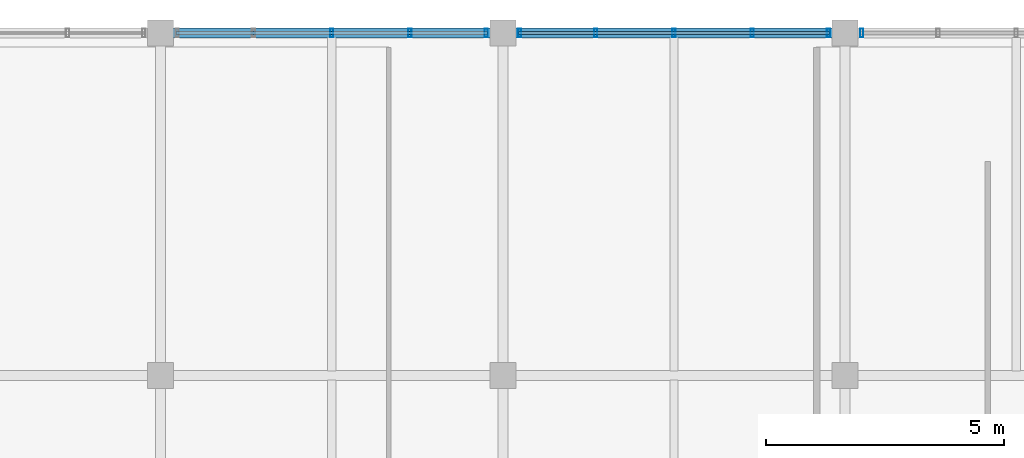
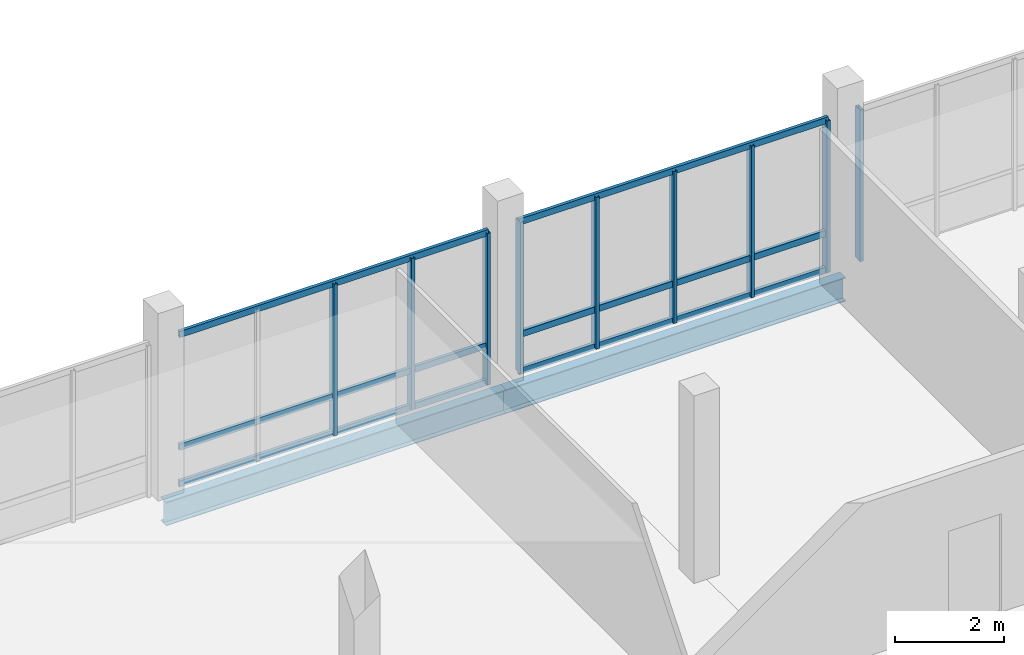
# One storey, part 13 of 28: 15 members, 2 beams, 3 elements without a shape of their own.
"""IFC4 building model written with IfcOpenShell, lengths in metres."""

import ifcopenshell
import ifcopenshell.guid

model = None  # the IFC model being written
_history = None  # IfcOwnerHistory: only IFC2X3 demands one
_inside = {}  # id of a spatial element -> (the spatial element, [elements in it])
_under = {}  # id of a project, library or spatial element -> (it, [spatial elements below it])
_declared = {}  # id of a project -> (the project, [libraries it declares])
_typed = {}  # id of a type object -> (the type object, [elements of that type])
_made_of = {}  # id of a material, layer set ... -> (it, [elements and type objects made of it])


def new_model(schema):
    """Start an empty IFC model of exactly this schema.

    Asked for "IFC4X3", IfcOpenShell would pick the latest addendum, in which some entities
    have other attributes; the version numbers below select the first issue.
    IFC2X3 requires an IfcOwnerHistory on every rooted entity: one is made here for all.
    """
    global model, _history
    if schema == "IFC4X3":
        model = ifcopenshell.file(schema_version=(4, 3, 0, 0))
    else:
        model = ifcopenshell.file(schema=schema)
    _inside.clear()
    _under.clear()
    _declared.clear()
    _typed.clear()
    _made_of.clear()
    _history = None
    if model.schema == "IFC2X3":
        org = make("IfcOrganization", Name="unknown")
        user = make(
            "IfcPersonAndOrganization",
            ThePerson=make("IfcPerson", FamilyName="unknown"),
            TheOrganization=org,
        )
        app = make(
            "IfcApplication",
            ApplicationDeveloper=org,
            Version="unknown",
            ApplicationFullName="unknown",
            ApplicationIdentifier="unknown",
        )
        _history = make(
            "IfcOwnerHistory",
            OwningUser=user,
            OwningApplication=app,
            ChangeAction="ADDED",
            CreationDate=0,
        )
    return model


def make(cls, **values):
    """One entity of the class cls with the attributes given. An attribute that is None is left unset."""
    return model.create_entity(
        cls, **{name: value for name, value in values.items() if value is not None}
    )


def rooted(cls, **values):
    """An entity with a GlobalId (a new one), such as an element, a storey or a relation."""
    return make(cls, GlobalId=ifcopenshell.guid.new(), OwnerHistory=_history, **values)


def si_unit(unit_type, name, prefix=None):
    """IfcSIUnit, for example si_unit("LENGTHUNIT", "METRE", prefix="MILLI")."""
    return make("IfcSIUnit", UnitType=unit_type, Prefix=prefix, Name=name)


def assignment(units):
    """IfcUnitAssignment: the units of a project."""
    return None if units is None else make("IfcUnitAssignment", Units=units)


def point(xyz):
    """IfcCartesianPoint."""
    return None if xyz is None else make("IfcCartesianPoint", Coordinates=xyz)


def direction(xyz):
    """IfcDirection."""
    return None if xyz is None else make("IfcDirection", DirectionRatios=xyz)


def frame(location, z_axis=None, x_axis=None):
    """IfcAxis2Placement3D, a coordinate frame: its origin and axes. An axis left out is left unset."""
    return make(
        "IfcAxis2Placement3D",
        Location=point(location),
        Axis=direction(z_axis),
        RefDirection=direction(x_axis),
    )


def frame_2d(location, x_axis=None):
    """IfcAxis2Placement2D, a coordinate frame in the plane: its origin and x axis."""
    return make(
        "IfcAxis2Placement2D", Location=point(location), RefDirection=direction(x_axis)
    )


def origin():
    """The frame at (0, 0, 0) with its axes left unset."""
    return frame((0.0, 0.0, 0.0))


def origin_2d():
    """The frame at (0, 0) in the plane with its x axis left unset."""
    return frame_2d((0.0, 0.0))


def place(relative_to, where):
    """IfcLocalPlacement: puts the frame where relative to a parent placement (None: the world)."""
    return make(
        "IfcLocalPlacement", PlacementRelTo=relative_to, RelativePlacement=where
    )


def context(
    kind, dimensions, precision=None, world=None, true_north=None, identifier=None
):
    """IfcGeometricRepresentationContext, for example the 3D "Model" context."""
    return make(
        "IfcGeometricRepresentationContext",
        ContextIdentifier=identifier,
        ContextType=kind,
        CoordinateSpaceDimension=dimensions,
        Precision=precision,
        WorldCoordinateSystem=world,
        TrueNorth=true_north,
    )


def subcontext(parent, identifier, kind, view, scale=None):
    """IfcGeometricRepresentationSubContext, for example "Body" below "Model"."""
    return make(
        "IfcGeometricRepresentationSubContext",
        ContextIdentifier=identifier,
        ContextType=kind,
        ParentContext=parent,
        TargetScale=scale,
        TargetView=view,
    )


def project(units=None, contexts=None):
    """IfcProject with its units and contexts."""
    return rooted(
        "IfcProject",
        Name="project",
        RepresentationContexts=contexts,
        UnitsInContext=assignment(units),
    )


def spatial(cls, under=None, at=None, **own):
    """A site, building, storey or space (cls), placed at a placement, below another one or the project."""
    s = rooted(cls, ObjectPlacement=at, **own)
    if under is not None:
        _under.setdefault(under.id(), (under, []))[1].append(s)
    return s


def profile(cls, at=None, kind="AREA", **sizes):
    """A parametric profile (cls). Its sizes go by their IFC names, for example OverallWidth=200.0."""
    return make(cls, ProfileType=kind, Position=at, **sizes)


def hollow_rectangle(**sizes):
    """IfcRectangleHollowProfileDef."""
    return profile("IfcRectangleHollowProfileDef", **sizes)


def i_section(**sizes):
    """IfcIShapeProfileDef."""
    return profile("IfcIShapeProfileDef", **sizes)


def extrude(swept, where, along, depth):
    """IfcExtrudedAreaSolid: the profile swept, set in the frame where, extruded along a direction by depth."""
    return make(
        "IfcExtrudedAreaSolid",
        SweptArea=swept,
        Position=where,
        ExtrudedDirection=direction(along),
        Depth=depth,
    )


def shape(context_of_items, identifier, shape_type, items):
    """IfcShapeRepresentation: the items that make up one representation, for example the "Body"."""
    return make(
        "IfcShapeRepresentation",
        ContextOfItems=context_of_items,
        RepresentationIdentifier=identifier,
        RepresentationType=shape_type,
        Items=items,
    )


def material(Name=None, Category=None):
    """IfcMaterial."""
    return make("IfcMaterial", Name=Name, Category=Category)


def material_profile(
    of_material, cross_section, Name=None, Category=None, Priority=None
):
    """IfcMaterialProfile: a cross section and its material."""
    return make(
        "IfcMaterialProfile",
        Name=Name,
        Material=of_material,
        Profile=cross_section,
        Priority=Priority,
        Category=Category,
    )


def profile_set(profiles, Name=None, composite=None):
    """IfcMaterialProfileSet."""
    return make(
        "IfcMaterialProfileSet",
        Name=Name,
        MaterialProfiles=profiles,
        CompositeProfile=composite,
    )


def made_of(thing, what):
    """Note that an element or type object is made of a material, layer set ...; save() writes the relation."""
    if what is not None:
        _made_of.setdefault(what.id(), (what, []))[1].append(thing)
    return thing


def type_object(cls, material=None, **own):
    """A type object (cls), such as IfcWallType, which elements share."""
    return made_of(rooted(cls, **own), material)


def element(
    cls,
    number,
    at=None,
    inside=None,
    cuts=None,
    type_object=None,
    material=None,
    context=None,
    identifier="Body",
    shape_type=None,
    held_by="IfcProductDefinitionShape",
    body=None,
    shapes=None,
    **own,
):
    """One element of the class cls, such as IfcWall. Its Tag is "e" and its number.

    at: its placement. inside: the storey or other place that contains it. cuts: it is an
    opening in that element (IfcRelVoidsElement). A single representation is given by context,
    identifier, shape_type and body (its items); several are given by shapes. held_by: the class
    of the entity that holds the representations. save() writes the other relations.
    """
    e = rooted(cls, Tag="e%d" % number, ObjectPlacement=at, **own)
    if body is not None:
        shapes = [shape(context, identifier, shape_type, body)]
    if shapes is not None:
        e.Representation = make(held_by, Representations=shapes)
    if inside is not None:
        _inside.setdefault(inside.id(), (inside, []))[1].append(e)
    if cuts is not None:
        rooted(
            "IfcRelVoidsElement", RelatingBuildingElement=cuts, RelatedOpeningElement=e
        )
    if type_object is not None:
        _typed.setdefault(type_object.id(), (type_object, []))[1].append(e)
    return made_of(e, material)


def aggregate(whole, parts):
    """IfcRelAggregates: a whole, such as a stair, and the parts it consists of."""
    return rooted("IfcRelAggregates", RelatingObject=whole, RelatedObjects=parts)


def save(model, path):
    """Write the relations noted so far, then the file.

    IfcRelAggregates (storeys below a building ...), IfcRelContainedInSpatialStructure (elements
    in a storey), IfcRelDefinesByType, IfcRelAssociatesMaterial and IfcRelDeclares: one each for
    every whole, place, type object, material and project.
    """
    for whole, parts in _under.values():
        aggregate(whole, parts)
    for where, things in _inside.values():
        rooted(
            "IfcRelContainedInSpatialStructure",
            RelatedElements=things,
            RelatingStructure=where,
        )
    for kind, things in _typed.values():
        rooted("IfcRelDefinesByType", RelatedObjects=things, RelatingType=kind)
    for what, things in _made_of.values():
        rooted("IfcRelAssociatesMaterial", RelatedObjects=things, RelatingMaterial=what)
    for by, libraries in _declared.values():
        rooted("IfcRelDeclares", RelatingContext=by, RelatedDefinitions=libraries)
    model.write(path)


model = new_model("IFC4")

# Units and contexts
model_context = context("Model", 3, precision=1e-05, world=origin(), true_north=direction((0.0, 1.0)))
body_context = subcontext(model_context, "Body", "Model", "MODEL_VIEW")
ifc_project = project(units=[si_unit("LENGTHUNIT", "METRE"), si_unit("AREAUNIT", "SQUARE_METRE"), si_unit("VOLUMEUNIT", "CUBIC_METRE"), si_unit("PLANEANGLEUNIT", "RADIAN"), si_unit("MASSUNIT", "GRAM", prefix="KILO")], contexts=[model_context])

# Site, building, storey
site_placement = place(None, origin())
site = spatial("IfcSite", under=ifc_project, at=site_placement, CompositionType="ELEMENT")
building_placement = place(site_placement, origin())
building = spatial("IfcBuilding", under=site, at=building_placement, Name="Yarey Park Central Fire Station", CompositionType="ELEMENT")
storey_placement = place(building_placement, frame((0.0, 0.0, 22.199951171875)))
storey = spatial("IfcBuildingStorey", under=building, at=storey_placement, Name="L06", CompositionType="ELEMENT", Elevation=22.199951171875)

# Curtain wall, members
ifc_material_1 = material(Name="Anodized Aluminium Frame", Category="aluminium")
curtain_wall_type = type_object("IfcCurtainWallType", Name="ENV_CW_HQ_L06", PredefinedType="NOTDEFINED", material=ifc_material_1)
curtain_wall_1_placement = place(storey_placement, origin())
curtain_wall_1 = element("IfcCurtainWall", 1, at=curtain_wall_1_placement, inside=storey, type_object=curtain_wall_type, Name="CW_L06_V4_N_2", PredefinedType="NOTDEFINED")
ifc_material_profile_1 = material_profile(ifc_material_1, hollow_rectangle(XDim=0.070068359375, YDim=0.179931640625, WallThickness=0.00390625, at=origin_2d()), Name="ALU 180x70x4")
ifc_profile_set_1 = profile_set([ifc_material_profile_1], Name="Anodized Aluminium Frame")
member_type_1 = type_object("IfcMemberType", Name="ENV_CW_MULLION", PredefinedType="MULLION", material=ifc_profile_set_1)
member_1_placement = place(storey_placement, frame((129.25, 115.199951171875, 0.0), z_axis=(0.0, 0.0, 1.0), x_axis=(1.0, 0.0, 0.0)))
member_1 = element("IfcMember", 2, at=member_1_placement, type_object=member_type_1, Name="CW_L06_V4_N_2_MUL1", PredefinedType="MULLION", context=body_context, shape_type="SweptSolid", body=[
    extrude(hollow_rectangle(XDim=0.070068359375, YDim=0.179931640625, WallThickness=0.00390625, at=origin_2d()), origin(), (0.0, 0.0, 1.0), 3.400146484375),
])
member_2_placement = place(storey_placement, frame((127.64501953125, 115.199951171875, 0.0), z_axis=(0.0, 0.0, 1.0), x_axis=(1.0, 0.0, 0.0)))
member_2 = element("IfcMember", 3, at=member_2_placement, type_object=member_type_1, Name="CW_L06_V4_N_2_MUL2", PredefinedType="MULLION", context=body_context, shape_type="SweptSolid", body=[
    extrude(hollow_rectangle(XDim=0.070068359375, YDim=0.179931640625, WallThickness=0.00390625, at=origin_2d()), origin(), (0.0, 0.0, 1.0), 3.400146484375),
])
member_3_placement = place(storey_placement, frame((126.0, 115.199951171875, 0.0), z_axis=(0.0, 0.0, 1.0), x_axis=(1.0, 0.0, 0.0)))
member_3 = element("IfcMember", 4, at=member_3_placement, type_object=member_type_1, Name="CW_L06_V4_N_2_MUL3", PredefinedType="MULLION", context=body_context, shape_type="SweptSolid", body=[
    extrude(hollow_rectangle(XDim=0.070068359375, YDim=0.179931640625, WallThickness=0.00390625, at=origin_2d()), origin(), (0.0, 0.0, 1.0), 3.400146484375),
])

curtain_wall_2_placement = place(storey_placement, origin())
curtain_wall_2 = element("IfcCurtainWall", 5, at=curtain_wall_2_placement, inside=storey, type_object=curtain_wall_type, Name="CW_L06_V4_N_3", PredefinedType="NOTDEFINED")
member_4_placement = place(storey_placement, frame((136.449951171875, 115.199951171875, 0.0), z_axis=(0.0, 0.0, 1.0), x_axis=(1.0, 0.0, 0.0)))
member_4 = element("IfcMember", 6, at=member_4_placement, type_object=member_type_1, Name="CW_L06_V4_N_3_MUL1", PredefinedType="MULLION", context=body_context, shape_type="SweptSolid", body=[
    extrude(hollow_rectangle(XDim=0.070068359375, YDim=0.179931640625, WallThickness=0.00390625, at=origin_2d()), origin(), (0.0, 0.0, 1.0), 3.400146484375),
])
member_5_placement = place(storey_placement, frame((134.844970703125, 115.199951171875, 0.0), z_axis=(0.0, 0.0, 1.0), x_axis=(1.0, 0.0, 0.0)))
member_5 = element("IfcMember", 7, at=member_5_placement, type_object=member_type_1, Name="CW_L06_V4_N_3_MUL2", PredefinedType="MULLION", context=body_context, shape_type="SweptSolid", body=[
    extrude(hollow_rectangle(XDim=0.070068359375, YDim=0.179931640625, WallThickness=0.00390625, at=origin_2d()), origin(), (0.0, 0.0, 1.0), 3.400146484375),
])
member_6_placement = place(storey_placement, frame((133.199951171875, 115.199951171875, 0.0), z_axis=(0.0, 0.0, 1.0), x_axis=(1.0, 0.0, 0.0)))
member_6 = element("IfcMember", 8, at=member_6_placement, type_object=member_type_1, Name="CW_L06_V4_N_3_MUL3", PredefinedType="MULLION", context=body_context, shape_type="SweptSolid", body=[
    extrude(hollow_rectangle(XDim=0.070068359375, YDim=0.179931640625, WallThickness=0.00390625, at=origin_2d()), origin(), (0.0, 0.0, 1.0), 3.400146484375),
])
member_7_placement = place(storey_placement, frame((131.554931640625, 115.199951171875, 0.0), z_axis=(0.0, 0.0, 1.0), x_axis=(1.0, 0.0, 0.0)))
member_7 = element("IfcMember", 9, at=member_7_placement, type_object=member_type_1, Name="CW_L06_V4_N_3_MUL4", PredefinedType="MULLION", context=body_context, shape_type="SweptSolid", body=[
    extrude(hollow_rectangle(XDim=0.070068359375, YDim=0.179931640625, WallThickness=0.00390625, at=origin_2d()), origin(), (0.0, 0.0, 1.0), 3.400146484375),
])
member_8_placement = place(storey_placement, frame((129.949951171875, 115.199951171875, 0.0), z_axis=(0.0, 0.0, 1.0), x_axis=(1.0, 0.0, 0.0)))
member_8 = element("IfcMember", 10, at=member_8_placement, type_object=member_type_1, Name="CW_L06_V4_N_3_MUL5", PredefinedType="MULLION", context=body_context, shape_type="SweptSolid", body=[
    extrude(hollow_rectangle(XDim=0.070068359375, YDim=0.179931640625, WallThickness=0.00390625, at=origin_2d()), origin(), (0.0, 0.0, 1.0), 3.400146484375),
])

# Curtain wall, member
curtain_wall_3_placement = place(storey_placement, origin())
curtain_wall_3 = element("IfcCurtainWall", 11, at=curtain_wall_3_placement, inside=storey, type_object=curtain_wall_type, Name="CW_L06_V4_N_4", PredefinedType="NOTDEFINED")
member_9_placement = place(storey_placement, frame((137.14990234375, 115.199951171875, 0.0), z_axis=(0.0, 0.0, 1.0), x_axis=(1.0, 0.0, 0.0)))
member_9 = element("IfcMember", 12, at=member_9_placement, type_object=member_type_1, Name="CW_L06_V4_N_4_MUL5", PredefinedType="MULLION", context=body_context, shape_type="SweptSolid", body=[
    extrude(hollow_rectangle(XDim=0.070068359375, YDim=0.179931640625, WallThickness=0.00390625, at=origin_2d()), origin(), (0.0, 0.0, 1.0), 3.400146484375),
])
aggregate(curtain_wall_3, [member_9])

# Member
ifc_material_profile_2 = material_profile(ifc_material_1, hollow_rectangle(XDim=0.070068359375, YDim=0.139892578125, WallThickness=0.00390625, at=origin_2d()), Name="ALU 140x70x4")
ifc_profile_set_2 = profile_set([ifc_material_profile_2], Name="Anodized Aluminium Frame")
member_type_2 = type_object("IfcMemberType", Name="ENV_CW_TRANSOM", PredefinedType="USERDEFINED", material=ifc_profile_set_2)
member_10_placement = place(storey_placement, frame((129.27490234375, 115.199951171875, 0.025146484375), z_axis=(-1.0, 0.0, 0.0), x_axis=(0.0, -1.0, 0.0)))
member_10 = element("IfcMember", 13, at=member_10_placement, type_object=member_type_2, Name="CW_L06_V4_N_2_TRN1", ObjectType="TRANSOM", PredefinedType="USERDEFINED", context=body_context, shape_type="SweptSolid", body=[
    extrude(hollow_rectangle(XDim=0.070068359375, YDim=0.139892578125, WallThickness=0.00390625, at=origin_2d()), origin(), (0.0, 0.0, 1.0), 6.5498046875),
])

member_11_placement = place(storey_placement, frame((129.27490234375, 115.199951171875, 0.85009765625), z_axis=(-1.0, 0.0, 0.0), x_axis=(0.0, -1.0, 0.0)))
member_11 = element("IfcMember", 14, at=member_11_placement, type_object=member_type_2, Name="CW_L06_V4_N_2_TRN2", ObjectType="TRANSOM", PredefinedType="USERDEFINED", context=body_context, shape_type="SweptSolid", body=[
    extrude(hollow_rectangle(XDim=0.070068359375, YDim=0.139892578125, WallThickness=0.00390625, at=origin_2d()), origin(), (0.0, 0.0, 1.0), 6.5498046875),
])

member_12_placement = place(storey_placement, frame((129.27490234375, 115.199951171875, 3.375), z_axis=(-1.0, 0.0, 0.0), x_axis=(0.0, -1.0, 0.0)))
member_12 = element("IfcMember", 15, at=member_12_placement, type_object=member_type_2, Name="CW_L06_V4_N_2_TRN3", ObjectType="TRANSOM", PredefinedType="USERDEFINED", context=body_context, shape_type="SweptSolid", body=[
    extrude(hollow_rectangle(XDim=0.070068359375, YDim=0.139892578125, WallThickness=0.00390625, at=origin_2d()), origin(), (0.0, 0.0, 1.0), 6.5498046875),
])

aggregate(curtain_wall_1, [member_1, member_2, member_3, member_10, member_11, member_12])

member_13_placement = place(storey_placement, frame((136.47509765625, 115.199951171875, 0.025146484375), z_axis=(-1.0, 0.0, 0.0), x_axis=(0.0, -1.0, 0.0)))
member_13 = element("IfcMember", 16, at=member_13_placement, type_object=member_type_2, Name="CW_L06_V4_N_3_TRN1", ObjectType="TRANSOM", PredefinedType="USERDEFINED", context=body_context, shape_type="SweptSolid", body=[
    extrude(hollow_rectangle(XDim=0.070068359375, YDim=0.139892578125, WallThickness=0.00390625, at=origin_2d()), origin(), (0.0, 0.0, 1.0), 6.550048828125),
])

member_14_placement = place(storey_placement, frame((136.47509765625, 115.199951171875, 0.85009765625), z_axis=(-1.0, 0.0, 0.0), x_axis=(0.0, -1.0, 0.0)))
member_14 = element("IfcMember", 17, at=member_14_placement, type_object=member_type_2, Name="CW_L06_V4_N_3_TRN2", ObjectType="TRANSOM", PredefinedType="USERDEFINED", context=body_context, shape_type="SweptSolid", body=[
    extrude(hollow_rectangle(XDim=0.070068359375, YDim=0.139892578125, WallThickness=0.00390625, at=origin_2d()), origin(), (0.0, 0.0, 1.0), 6.550048828125),
])

member_15_placement = place(storey_placement, frame((136.47509765625, 115.199951171875, 3.375), z_axis=(-1.0, 0.0, 0.0), x_axis=(0.0, -1.0, 0.0)))
member_15 = element("IfcMember", 18, at=member_15_placement, type_object=member_type_2, Name="CW_L06_V4_N_3_TRN3", ObjectType="TRANSOM", PredefinedType="USERDEFINED", context=body_context, shape_type="SweptSolid", body=[
    extrude(hollow_rectangle(XDim=0.070068359375, YDim=0.139892578125, WallThickness=0.00390625, at=origin_2d()), origin(), (0.0, 0.0, 1.0), 6.550048828125),
])

aggregate(curtain_wall_2, [member_4, member_5, member_6, member_7, member_8, member_13, member_14, member_15])

# Beams
ifc_material_2 = material(Name="Steel ASTM A992 Gr. 50", Category="steel")
ifc_material_profile_3 = material_profile(ifc_material_2, i_section(OverallWidth=0.208984375, OverallDepth=0.532958984375, WebThickness=0.01025390625, FlangeThickness=0.015625, at=origin_2d()), Name="W530x92")
ifc_profile_set_3 = profile_set([ifc_material_profile_3], Name="Steel ASTM A992 Gr. 50")
beam_type = type_object("IfcBeamType", Name="STR_BM_W530", PredefinedType="BEAM", material=ifc_profile_set_3)
beam_1_placement = place(storey_placement, frame((122.39990234375, 115.199951171875, -0.491455078125), z_axis=(1.0, 0.0, 0.0), x_axis=(0.0, 1.0, 0.0)))
element("IfcBeam", 19, at=beam_1_placement, inside=storey, type_object=beam_type, Name="BMX L06 Y1152 X1224", PredefinedType="BEAM", context=body_context, shape_type="SweptSolid", body=[
    extrude(i_section(OverallWidth=0.208984375, OverallDepth=0.532958984375, WebThickness=0.01025390625, FlangeThickness=0.015625, at=origin_2d()), origin(), (0.0, 0.0, 1.0), 7.2001953125),
])
beam_2_placement = place(storey_placement, frame((129.60009765625, 115.199951171875, -0.491455078125), z_axis=(1.0, 0.0, 0.0), x_axis=(0.0, 1.0, 0.0)))
element("IfcBeam", 20, at=beam_2_placement, inside=storey, type_object=beam_type, Name="BMX L06 Y1152 X1296", PredefinedType="BEAM", context=body_context, shape_type="SweptSolid", body=[
    extrude(i_section(OverallWidth=0.208984375, OverallDepth=0.532958984375, WebThickness=0.01025390625, FlangeThickness=0.015625, at=origin_2d()), origin(), (0.0, 0.0, 1.0), 7.199951171875),
])

save(model, "model.ifc")
